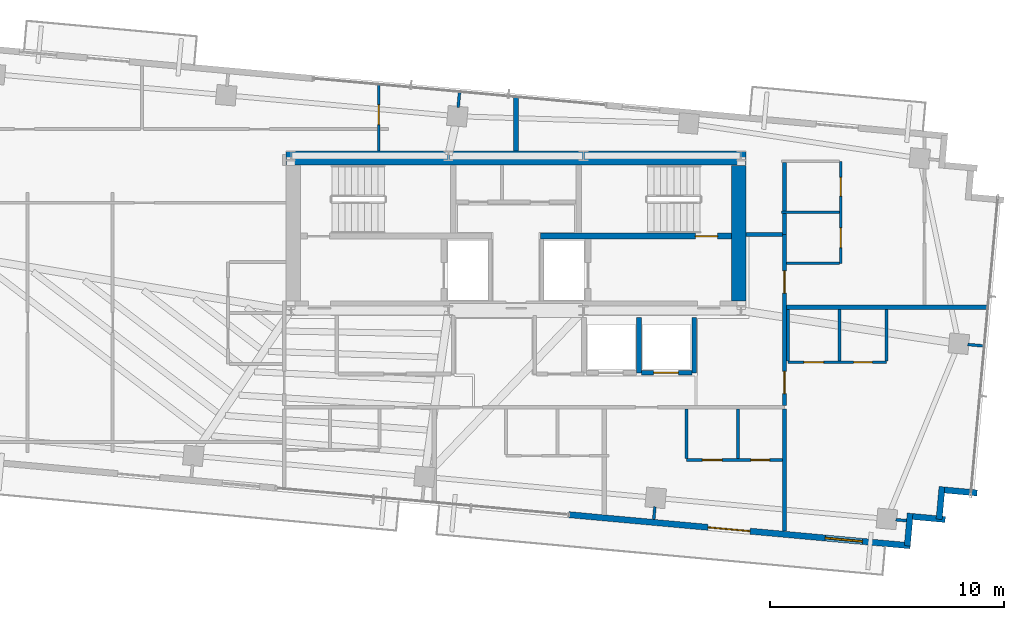
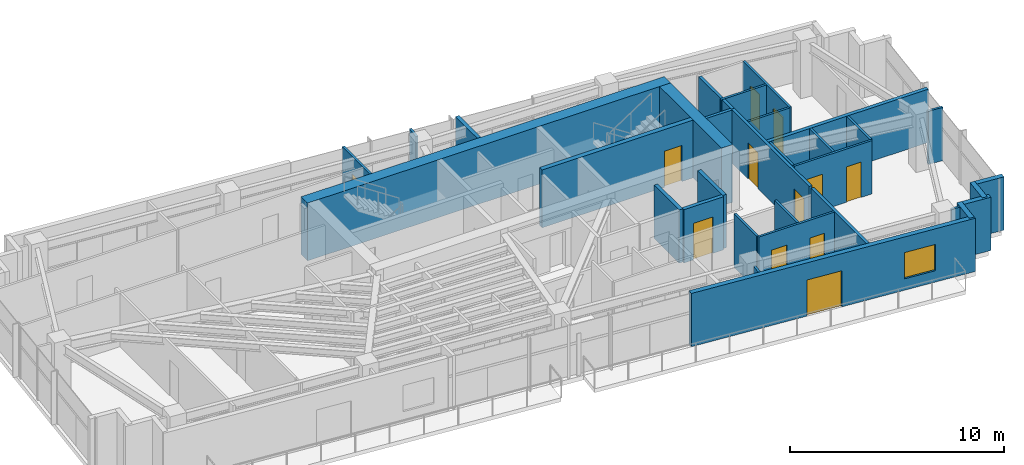
# One storey, part 18 of 22: 33 walls, 12 doors, 1 window, 13 openings.
"""IFC4 building model written with IfcOpenShell, lengths in metres."""

import ifcopenshell
import ifcopenshell.guid

model = None  # the IFC model being written
_history = None  # IfcOwnerHistory: only IFC2X3 demands one
_inside = {}  # id of a spatial element -> (the spatial element, [elements in it])
_under = {}  # id of a project, library or spatial element -> (it, [spatial elements below it])
_declared = {}  # id of a project -> (the project, [libraries it declares])
_typed = {}  # id of a type object -> (the type object, [elements of that type])
_made_of = {}  # id of a material, layer set ... -> (it, [elements and type objects made of it])


def new_model(schema):
    """Start an empty IFC model of exactly this schema.

    Asked for "IFC4X3", IfcOpenShell would pick the latest addendum, in which some entities
    have other attributes; the version numbers below select the first issue.
    IFC2X3 requires an IfcOwnerHistory on every rooted entity: one is made here for all.
    """
    global model, _history
    if schema == "IFC4X3":
        model = ifcopenshell.file(schema_version=(4, 3, 0, 0))
    else:
        model = ifcopenshell.file(schema=schema)
    _inside.clear()
    _under.clear()
    _declared.clear()
    _typed.clear()
    _made_of.clear()
    _history = None
    if model.schema == "IFC2X3":
        org = make("IfcOrganization", Name="unknown")
        user = make(
            "IfcPersonAndOrganization",
            ThePerson=make("IfcPerson", FamilyName="unknown"),
            TheOrganization=org,
        )
        app = make(
            "IfcApplication",
            ApplicationDeveloper=org,
            Version="unknown",
            ApplicationFullName="unknown",
            ApplicationIdentifier="unknown",
        )
        _history = make(
            "IfcOwnerHistory",
            OwningUser=user,
            OwningApplication=app,
            ChangeAction="ADDED",
            CreationDate=0,
        )
    return model


def make(cls, **values):
    """One entity of the class cls with the attributes given. An attribute that is None is left unset."""
    return model.create_entity(
        cls, **{name: value for name, value in values.items() if value is not None}
    )


def rooted(cls, **values):
    """An entity with a GlobalId (a new one), such as an element, a storey or a relation."""
    return make(cls, GlobalId=ifcopenshell.guid.new(), OwnerHistory=_history, **values)


def si_unit(unit_type, name, prefix=None):
    """IfcSIUnit, for example si_unit("LENGTHUNIT", "METRE", prefix="MILLI")."""
    return make("IfcSIUnit", UnitType=unit_type, Prefix=prefix, Name=name)


def assignment(units):
    """IfcUnitAssignment: the units of a project."""
    return None if units is None else make("IfcUnitAssignment", Units=units)


def point(xyz):
    """IfcCartesianPoint."""
    return None if xyz is None else make("IfcCartesianPoint", Coordinates=xyz)


def direction(xyz):
    """IfcDirection."""
    return None if xyz is None else make("IfcDirection", DirectionRatios=xyz)


def frame(location, z_axis=None, x_axis=None):
    """IfcAxis2Placement3D, a coordinate frame: its origin and axes. An axis left out is left unset."""
    return make(
        "IfcAxis2Placement3D",
        Location=point(location),
        Axis=direction(z_axis),
        RefDirection=direction(x_axis),
    )


def frame_2d(location, x_axis=None):
    """IfcAxis2Placement2D, a coordinate frame in the plane: its origin and x axis."""
    return make(
        "IfcAxis2Placement2D", Location=point(location), RefDirection=direction(x_axis)
    )


def origin():
    """The frame at (0, 0, 0) with its axes left unset."""
    return frame((0.0, 0.0, 0.0))


def place(relative_to, where):
    """IfcLocalPlacement: puts the frame where relative to a parent placement (None: the world)."""
    return make(
        "IfcLocalPlacement", PlacementRelTo=relative_to, RelativePlacement=where
    )


def context(
    kind, dimensions, precision=None, world=None, true_north=None, identifier=None
):
    """IfcGeometricRepresentationContext, for example the 3D "Model" context."""
    return make(
        "IfcGeometricRepresentationContext",
        ContextIdentifier=identifier,
        ContextType=kind,
        CoordinateSpaceDimension=dimensions,
        Precision=precision,
        WorldCoordinateSystem=world,
        TrueNorth=true_north,
    )


def subcontext(parent, identifier, kind, view, scale=None):
    """IfcGeometricRepresentationSubContext, for example "Body" below "Model"."""
    return make(
        "IfcGeometricRepresentationSubContext",
        ContextIdentifier=identifier,
        ContextType=kind,
        ParentContext=parent,
        TargetScale=scale,
        TargetView=view,
    )


def project(units=None, contexts=None):
    """IfcProject with its units and contexts."""
    return rooted(
        "IfcProject",
        Name="project",
        RepresentationContexts=contexts,
        UnitsInContext=assignment(units),
    )


def spatial(cls, under=None, at=None, **own):
    """A site, building, storey or space (cls), placed at a placement, below another one or the project."""
    s = rooted(cls, ObjectPlacement=at, **own)
    if under is not None:
        _under.setdefault(under.id(), (under, []))[1].append(s)
    return s


def profile(cls, at=None, kind="AREA", **sizes):
    """A parametric profile (cls). Its sizes go by their IFC names, for example OverallWidth=200.0."""
    return make(cls, ProfileType=kind, Position=at, **sizes)


def rectangle(**sizes):
    """IfcRectangleProfileDef."""
    return profile("IfcRectangleProfileDef", **sizes)


def extrude(swept, where, along, depth):
    """IfcExtrudedAreaSolid: the profile swept, set in the frame where, extruded along a direction by depth."""
    return make(
        "IfcExtrudedAreaSolid",
        SweptArea=swept,
        Position=where,
        ExtrudedDirection=direction(along),
        Depth=depth,
    )


def shape(context_of_items, identifier, shape_type, items):
    """IfcShapeRepresentation: the items that make up one representation, for example the "Body"."""
    return make(
        "IfcShapeRepresentation",
        ContextOfItems=context_of_items,
        RepresentationIdentifier=identifier,
        RepresentationType=shape_type,
        Items=items,
    )


def source(mapping_origin, context_of_items, identifier, shape_type, items):
    """IfcRepresentationMap: a shape defined once, which mapped items show again and again."""
    return make(
        "IfcRepresentationMap",
        MappingOrigin=mapping_origin,
        MappedRepresentation=shape(context_of_items, identifier, shape_type, items),
    )


def transform(
    local_origin,
    x_axis=None,
    y_axis=None,
    z_axis=None,
    scale=None,
    scale2=None,
    scale3=None,
    uniform=True,
):
    """IfcCartesianTransformationOperator3D, or its non-uniform kind. x_axis, y_axis, z_axis: its Axis1, 2, 3."""
    if uniform:
        return make(
            "IfcCartesianTransformationOperator3D",
            Axis1=direction(x_axis),
            Axis2=direction(y_axis),
            LocalOrigin=point(local_origin),
            Scale=scale,
            Axis3=direction(z_axis),
        )
    return make(
        "IfcCartesianTransformationOperator3DnonUniform",
        Axis1=direction(x_axis),
        Axis2=direction(y_axis),
        LocalOrigin=point(local_origin),
        Scale=scale,
        Axis3=direction(z_axis),
        Scale2=scale2,
        Scale3=scale3,
    )


def mapped(mapping_source, mapping_target):
    """IfcMappedItem: shows the shape of a source again, moved by a transform."""
    return make(
        "IfcMappedItem", MappingSource=mapping_source, MappingTarget=mapping_target
    )


def material(Name=None, Category=None):
    """IfcMaterial."""
    return make("IfcMaterial", Name=Name, Category=Category)


def layer(
    of_material, thickness, ventilated=None, Name=None, Category=None, Priority=None
):
    """IfcMaterialLayer: one layer of a wall or slab, of a material (None: an air gap)."""
    return make(
        "IfcMaterialLayer",
        Material=of_material,
        LayerThickness=thickness,
        IsVentilated=ventilated,
        Name=Name,
        Category=Category,
        Priority=Priority,
    )


def layer_set(layers, Name=None):
    """IfcMaterialLayerSet."""
    return make("IfcMaterialLayerSet", MaterialLayers=layers, LayerSetName=Name)


def made_of(thing, what):
    """Note that an element or type object is made of a material, layer set ...; save() writes the relation."""
    if what is not None:
        _made_of.setdefault(what.id(), (what, []))[1].append(thing)
    return thing


def type_object(cls, material=None, **own):
    """A type object (cls), such as IfcWallType, which elements share."""
    return made_of(rooted(cls, **own), material)


def type_shapes(of_type, sources):
    """Give a type object the sources (RepresentationMaps) that its elements show as mapped items."""
    of_type.RepresentationMaps = sources


def element(
    cls,
    number,
    at=None,
    inside=None,
    cuts=None,
    type_object=None,
    material=None,
    context=None,
    identifier="Body",
    shape_type=None,
    held_by="IfcProductDefinitionShape",
    body=None,
    shapes=None,
    **own,
):
    """One element of the class cls, such as IfcWall. Its Tag is "e" and its number.

    at: its placement. inside: the storey or other place that contains it. cuts: it is an
    opening in that element (IfcRelVoidsElement). A single representation is given by context,
    identifier, shape_type and body (its items); several are given by shapes. held_by: the class
    of the entity that holds the representations. save() writes the other relations.
    """
    e = rooted(cls, Tag="e%d" % number, ObjectPlacement=at, **own)
    if body is not None:
        shapes = [shape(context, identifier, shape_type, body)]
    if shapes is not None:
        e.Representation = make(held_by, Representations=shapes)
    if inside is not None:
        _inside.setdefault(inside.id(), (inside, []))[1].append(e)
    if cuts is not None:
        rooted(
            "IfcRelVoidsElement", RelatingBuildingElement=cuts, RelatedOpeningElement=e
        )
    if type_object is not None:
        _typed.setdefault(type_object.id(), (type_object, []))[1].append(e)
    return made_of(e, material)


def fill(opening, filler):
    """IfcRelFillsElement: the door or window that sits in an opening."""
    return rooted(
        "IfcRelFillsElement",
        RelatingOpeningElement=opening,
        RelatedBuildingElement=filler,
    )


def aggregate(whole, parts):
    """IfcRelAggregates: a whole, such as a stair, and the parts it consists of."""
    return rooted("IfcRelAggregates", RelatingObject=whole, RelatedObjects=parts)


def save(model, path):
    """Write the relations noted so far, then the file.

    IfcRelAggregates (storeys below a building ...), IfcRelContainedInSpatialStructure (elements
    in a storey), IfcRelDefinesByType, IfcRelAssociatesMaterial and IfcRelDeclares: one each for
    every whole, place, type object, material and project.
    """
    for whole, parts in _under.values():
        aggregate(whole, parts)
    for where, things in _inside.values():
        rooted(
            "IfcRelContainedInSpatialStructure",
            RelatedElements=things,
            RelatingStructure=where,
        )
    for kind, things in _typed.values():
        rooted("IfcRelDefinesByType", RelatedObjects=things, RelatingType=kind)
    for what, things in _made_of.values():
        rooted("IfcRelAssociatesMaterial", RelatedObjects=things, RelatingMaterial=what)
    for by, libraries in _declared.values():
        rooted("IfcRelDeclares", RelatingContext=by, RelatedDefinitions=libraries)
    model.write(path)


model = new_model("IFC4")

# Units and contexts
model_context = context("Model", 3, precision=1e-05, world=origin(), true_north=direction((0.0, 1.0)))
body_context = subcontext(model_context, "Body", "Model", "MODEL_VIEW")
ifc_project = project(units=[si_unit("LENGTHUNIT", "METRE"), si_unit("AREAUNIT", "SQUARE_METRE"), si_unit("VOLUMEUNIT", "CUBIC_METRE"), si_unit("PLANEANGLEUNIT", "RADIAN"), si_unit("MASSUNIT", "GRAM", prefix="KILO")], contexts=[model_context])

# Site, building, storey
site_placement = place(None, origin())
site = spatial("IfcSite", under=ifc_project, at=site_placement, CompositionType="ELEMENT")
building_placement = place(site_placement, origin())
building = spatial("IfcBuilding", under=site, at=building_placement, Name="Astriad Promenade Condominiums", CompositionType="ELEMENT")
storey_placement = place(building_placement, frame((0.0, 0.0, 236.39990234375)))
storey = spatial("IfcBuildingStorey", under=building, at=storey_placement, Name="L68", CompositionType="ELEMENT", Elevation=236.39990234375)

# Walls
ifc_material_1 = material(Name="Concrete C50/60", Category="concrete")
ifc_layer_1 = layer(ifc_material_1, 0.60009765625)
ifc_layer_set_1 = layer_set([ifc_layer_1], Name="Concrete C50/60")
wall_type_1 = type_object("IfcWallType", Name="CW-SHEAR-600", PredefinedType="SHEAR", material=ifc_layer_set_1)
wall_1_placement = place(storey_placement, frame((26.199951171875, 23.89990234375, 0.0), z_axis=(0.0, 0.0, 1.0), x_axis=(1.0, 0.0, 0.0)))
element("IfcWall", 1, at=wall_1_placement, inside=storey, type_object=wall_type_1, Name="CW-CORE-N-L68", PredefinedType="SHEAR", context=body_context, shape_type="SweptSolid", body=[
    extrude(rectangle(XDim=19.60009765625, YDim=0.60009765625, at=frame_2d((9.800048828125, 0.0))), origin(), (0.0, 0.0, 1.0), 3.300048828125),
])
wall_2_placement = place(storey_placement, frame((45.5, 17.802001953125, 0.0), z_axis=(0.0, 0.0, 1.0), x_axis=(0.0, 1.0, 0.0)))
element("IfcWall", 2, at=wall_2_placement, inside=storey, type_object=wall_type_1, Name="CW-CORE-E-L68", PredefinedType="SHEAR", context=body_context, shape_type="SweptSolid", body=[
    extrude(rectangle(XDim=5.7958984375, YDim=0.60009765625, at=frame_2d((2.89794921875, 0.0))), origin(), (0.0, 0.0, 1.0), 3.300048828125),
])

# Wall, opening, door
ifc_layer_2 = layer(ifc_material_1, 0.25)
ifc_layer_set_2 = layer_set([ifc_layer_2], Name="Concrete C50/60")
wall_type_2 = type_object("IfcWallType", Name="WALL-CORE-INT-250", PredefinedType="SOLIDWALL", material=ifc_layer_set_2)
wall_3_placement = place(storey_placement, frame((37.050048828125, 20.574951171875, 0.0), z_axis=(0.0, 0.0, 1.0), x_axis=(1.0, 0.0, 0.0)))
wall_3 = element("IfcWall", 3, at=wall_3_placement, inside=storey, type_object=wall_type_2, Name="CW-INT-H2-L68", PredefinedType="SOLIDWALL", context=body_context, shape_type="SweptSolid", body=[
    extrude(rectangle(XDim=8.14794921875, YDim=0.25, at=frame_2d((4.073974609375, 0.0))), origin(), (0.0, 0.0, 1.0), 3.300048828125),
])
opening_1_placement = place(wall_3_placement, frame((6.60009765625, 0.0, 0.0)))
opening_1 = element("IfcOpeningElement", 4, at=opening_1_placement, cuts=wall_3, Name="Opening FD90-ST-095", PredefinedType="OPENING", context=body_context, shape_type="SweptSolid", body=[
    extrude(rectangle(XDim=0.949951171875, YDim=2.06005859375, at=frame_2d((0.47509765625, 1.030029296875))), frame((0.0, 0.135009765625, 0.0), z_axis=(0.0, -1.0, 0.0), x_axis=(1.0, 0.0, 0.0)), (0.0, 0.0, 1.0), 0.27001953125),
])
ifc_material_2 = material(Name="Fire-Rated Hollow Metal Stair Door")
door_type_1 = type_object("IfcDoorType", Name="FD90-ST-095", OperationType="NOTDEFINED", PredefinedType="DOOR", material=ifc_material_2)
shared_shape_1 = source(origin(), body_context, "Body", "SweptSolid", [
    extrude(rectangle(XDim=0.949951171875, YDim=2.06005859375, at=frame_2d((0.47509765625, 1.030029296875))), frame((0.0, 0.02490234375, 0.0), z_axis=(0.0, -1.0, 0.0), x_axis=(1.0, 0.0, 0.0)), (0.0, 0.0, 1.0), 0.050048828125),
])
type_shapes(door_type_1, [shared_shape_1])
door_1_placement = place(opening_1_placement, origin())
door_1 = element("IfcDoor", 5, at=door_1_placement, inside=storey, type_object=door_type_1, Name="D-ST2-L68", OperationType="SINGLE_SWING_RIGHT", OverallHeight=2.06005859375, OverallWidth=0.949951171875, PredefinedType="DOOR", context=body_context, shape_type="MappedRepresentation", body=[
    mapped(shared_shape_1, transform((0.0, 0.0, 0.0), scale=1.0)),
])
fill(opening_1, door_1)

# Wall
ifc_material_3 = material(Name="Fire-Rated Gypsum Partition")
ifc_layer_3 = layer(ifc_material_3, 0.159912109375)
ifc_layer_set_3 = layer_set([ifc_layer_3], Name="Fire-Rated Gypsum Partition")
wall_type_3 = type_object("IfcWallType", Name="WALL-CORR-160", PredefinedType="PARTITIONING", material=ifc_layer_set_3)
wall_4_placement = place(storey_placement, frame((47.449951171875, 7.9931640625, 0.0), z_axis=(0.0, 0.0, 1.0), x_axis=(0.0, 1.0, 0.0)))
element("IfcWall", 6, at=wall_4_placement, inside=storey, type_object=wall_type_3, Name="PT-COR-E-L68", PredefinedType="PARTITIONING", context=body_context, shape_type="SweptSolid", body=[
    extrude(rectangle(XDim=5.204833984375, YDim=0.159912109375, at=frame_2d((2.6025390625, 0.0))), origin(), (0.0, 0.0, 1.0), 3.0400390625),
])

# Wall, openings, doors
wall_5_placement = place(storey_placement, frame((47.449951171875, 13.362060546875, 0.0), z_axis=(0.0, 0.0, 1.0), x_axis=(0.0, 1.0, 0.0)))
wall_5 = element("IfcWall", 7, at=wall_5_placement, inside=storey, type_object=wall_type_3, Name="PT-COR-E-L68-S2", PredefinedType="PARTITIONING", context=body_context, shape_type="SweptSolid", body=[
    extrude(rectangle(XDim=7.287841796875, YDim=0.159912109375, at=frame_2d((3.64404296875, 0.0))), origin(), (0.0, 0.0, 1.0), 3.0400390625),
])
opening_2_placement = place(wall_5_placement, frame((0.492919921875, 0.0, 0.0)))
opening_2 = element("IfcOpeningElement", 8, at=opening_2_placement, cuts=wall_5, Name="Opening FD60-APT-095", PredefinedType="OPENING", context=body_context, shape_type="SweptSolid", body=[
    extrude(rectangle(XDim=0.949951171875, YDim=2.06005859375, at=frame_2d((0.47509765625, 1.030029296875))), frame((0.0, 0.08984375, 0.0), z_axis=(0.0, -1.0, 0.0), x_axis=(1.0, 0.0, 0.0)), (0.0, 0.0, 1.0), 0.179931640625),
])
opening_3_placement = place(wall_5_placement, frame((4.782958984375, 0.0, 0.0)))
opening_3 = element("IfcOpeningElement", 9, at=opening_3_placement, cuts=wall_5, Name="Opening FD60-APT-095", PredefinedType="OPENING", context=body_context, shape_type="SweptSolid", body=[
    extrude(rectangle(XDim=0.949951171875, YDim=2.06005859375, at=frame_2d((0.47509765625, 1.030029296875))), frame((0.0, 0.08984375, 0.0), z_axis=(0.0, -1.0, 0.0), x_axis=(1.0, 0.0, 0.0)), (0.0, 0.0, 1.0), 0.179931640625),
])
ifc_material_4 = material(Name="Solid-Core Acoustic Timber Residence Entry Door", Category="wood")
door_type_2 = type_object("IfcDoorType", Name="FD60-APT-095", OperationType="NOTDEFINED", PredefinedType="DOOR", material=ifc_material_4)
shared_shape_2 = source(origin(), body_context, "Body", "SweptSolid", [
    extrude(rectangle(XDim=0.949951171875, YDim=2.06005859375, at=frame_2d((0.47509765625, 1.030029296875))), frame((0.0, 0.02490234375, 0.0), z_axis=(0.0, -1.0, 0.0), x_axis=(1.0, 0.0, 0.0)), (0.0, 0.0, 1.0), 0.050048828125),
])
type_shapes(door_type_2, [shared_shape_2])
door_2_placement = place(opening_2_placement, origin())
door_2 = element("IfcDoor", 10, at=door_2_placement, inside=storey, type_object=door_type_2, Name="D-ENT-L68-E1", OperationType="SINGLE_SWING_RIGHT", OverallHeight=2.06005859375, OverallWidth=0.949951171875, PredefinedType="DOOR", context=body_context, shape_type="MappedRepresentation", body=[
    mapped(shared_shape_2, transform((0.0, 0.0, 0.0), scale=1.0)),
])
fill(opening_2, door_2)
door_3_placement = place(opening_3_placement, origin())
door_3 = element("IfcDoor", 11, at=door_3_placement, inside=storey, type_object=door_type_2, Name="D-ENT-L68-E2", OperationType="SINGLE_SWING_LEFT", OverallHeight=2.06005859375, OverallWidth=0.949951171875, PredefinedType="DOOR", context=body_context, shape_type="MappedRepresentation", body=[
    mapped(shared_shape_2, transform((0.0, 0.0, 0.0), scale=1.0)),
])
fill(opening_3, door_3)

# Walls
wall_6_placement = place(storey_placement, frame((45.802001953125, 20.64990234375, 0.0), z_axis=(0.0, 0.0, 1.0), x_axis=(1.0, 0.0, 0.0)))
element("IfcWall", 12, at=wall_6_placement, inside=storey, type_object=wall_type_3, Name="PT-Z3E-N-L68", PredefinedType="PARTITIONING", context=body_context, shape_type="SweptSolid", body=[
    extrude(rectangle(XDim=1.56591796875, YDim=0.159912109375, at=frame_2d((0.782958984375, 0.0))), origin(), (0.0, 0.0, 1.0), 3.0400390625),
])
wall_7_placement = place(storey_placement, frame((47.449951171875, 20.64990234375, 0.0), z_axis=(0.0, 0.0, 1.0), x_axis=(0.0, 1.0, 0.0)))
element("IfcWall", 13, at=wall_7_placement, inside=storey, type_object=wall_type_3, Name="PT-L68-E2-PBK", PredefinedType="PARTITIONING", context=body_context, shape_type="SweptSolid", body=[
    extrude(rectangle(XDim=0.883056640625, YDim=0.159912109375, at=frame_2d((0.44140625, 0.0))), origin(), (0.0, 0.0, 1.0), 3.0400390625),
])
wall_8_placement = place(storey_placement, frame((47.449951171875, 21.656982421875, 0.0), z_axis=(0.0, 0.0, 1.0), x_axis=(0.0, 1.0, 0.0)))
element("IfcWall", 14, at=wall_8_placement, inside=storey, type_object=wall_type_3, Name="PT-L68-E2-PBK-S2", PredefinedType="PARTITIONING", context=body_context, shape_type="SweptSolid", body=[
    extrude(rectangle(XDim=2.051025390625, YDim=0.159912109375, at=frame_2d((1.025390625, 0.0))), origin(), (0.0, 0.0, 1.0), 3.0400390625),
])
ifc_material_5 = material(Name="Acoustic Double-Stud Gypsum Partition")
ifc_layer_4 = layer(ifc_material_5, 0.199951171875)
ifc_layer_set_4 = layer_set([ifc_layer_4], Name="Acoustic Double-Stud Gypsum Partition")
wall_type_4 = type_object("IfcWallType", Name="WALL-DEMISING-200", PredefinedType="PARTITIONING", material=ifc_layer_set_4)
wall_9_placement = place(storey_placement, frame((36.0, 24.201904296875, 0.0), z_axis=(0.0, 0.0, 1.0), x_axis=(0.0, 1.0, 0.0)))
element("IfcWall", 15, at=wall_9_placement, inside=storey, type_object=wall_type_4, Name="PT-NC-MID-L68", PredefinedType="PARTITIONING", context=body_context, shape_type="SweptSolid", body=[
    extrude(rectangle(XDim=2.36328125, YDim=0.199951171875, at=frame_2d((1.181640625, 0.0))), origin(), (0.0, 0.0, 1.0), 3.0400390625),
])
wall_10_placement = place(storey_placement, frame((47.531982421875, 17.550048828125, 0.0), z_axis=(0.0, 0.0, 1.0), x_axis=(1.0, 0.0, 0.0)))
element("IfcWall", 16, at=wall_10_placement, inside=storey, type_object=wall_type_4, Name="PT-DEM-EE-L68", PredefinedType="PARTITIONING", context=body_context, shape_type="SweptSolid", body=[
    extrude(rectangle(XDim=8.643310546875, YDim=0.199951171875, at=frame_2d((4.32177734375, 0.0))), origin(), (0.0, 0.0, 1.0), 3.0400390625),
])
ifc_material_6 = material(Name="Precast concrete C50/60", Category="concrete")
ifc_layer_5 = layer(ifc_material_6, 0.260009765625)
ifc_layer_set_5 = layer_set([ifc_layer_5], Name="Precast concrete C50/60")
wall_type_5 = type_object("IfcWallType", Name="WALL-EXT-TWR-260", PredefinedType="STANDARD", material=ifc_layer_set_5)
for number, where, z_axis, x_axis, name in (
    (17, (55.664794921875, 9.623291015625, 0.0), (0.0, 0.0, 1.0), (-0.995881721538, 0.090661991521, 0.0), "W-SER-L68-14"),
    (18, (54.1728515625, 9.889404296875, 0.0), (0.0, 0.0, 1.0), (-0.090661991521, -0.995881721538, 0.0), "W-SER-L68-15"),
):
    element("IfcWall", number, at=place(storey_placement, frame(where, z_axis=z_axis, x_axis=x_axis)), inside=storey, type_object=wall_type_5, Name=name, PredefinedType="STANDARD", context=body_context, shape_type="SweptSolid", body=[
        extrude(rectangle(XDim=1.39501953125, YDim=0.260009765625, at=frame_2d((0.697509765625, 0.0))), origin(), (0.0, 0.0, 1.0), 3.0400390625),
    ])
for number, where, z_axis, x_axis, name in (
    (19, (54.306884765625, 8.49169921875, 0.0), (0.0, 0.0, 1.0), (-0.995883159782, 0.090646191665, 0.0), "W-SER-L68-16"),
    (20, (52.814697265625, 8.758056640625, 0.0), (0.0, 0.0, 1.0), (-0.090646191665, -0.995883159782, 0.0), "W-SER-L68-17"),
):
    element("IfcWall", number, at=place(storey_placement, frame(where, z_axis=z_axis, x_axis=x_axis)), inside=storey, type_object=wall_type_5, Name=name, PredefinedType="STANDARD", context=body_context, shape_type="SweptSolid", body=[
        extrude(rectangle(XDim=1.395263671875, YDim=0.260009765625, at=frame_2d((0.69775390625, 0.0))), origin(), (0.0, 0.0, 1.0), 3.0400390625),
    ])

# Wall, openings, door, window
wall_11_placement = place(storey_placement, frame((52.819091796875, 7.371826171875, 0.0), z_axis=(0.0, 0.0, 1.0), x_axis=(-0.995884447498, 0.090632043071, 0.0)))
wall_11 = element("IfcWall", 21, at=wall_11_placement, inside=storey, type_object=wall_type_5, Name="W-EXT-L68-S1", PredefinedType="STANDARD", context=body_context, shape_type="SweptSolid", body=[
    extrude(rectangle(XDim=14.6298828125, YDim=0.260009765625, at=frame_2d((7.31494140625, 0.0))), origin(), (0.0, 0.0, 1.0), 3.0400390625),
])
opening_4_placement = place(wall_11_placement, frame((6.864990234375, 0.0, 0.0)))
opening_4 = element("IfcOpeningElement", 22, at=opening_4_placement, cuts=wall_11, Name="Opening BD-1822-SLD", PredefinedType="OPENING", context=body_context, shape_type="SweptSolid", body=[
    extrude(rectangle(XDim=1.800048828125, YDim=2.06005859375, at=frame_2d((0.89990234375, 1.030029296875))), frame((0.0, 0.139892578125, 0.0), z_axis=(0.0, -1.0, 0.0), x_axis=(1.0, 0.0, 0.0)), (0.0, 0.0, 1.0), 0.280029296875),
])
opening_5_placement = place(wall_11_placement, frame((2.050048828125, 0.0, 0.64990234375)))
opening_5 = element("IfcOpeningElement", 23, at=opening_5_placement, cuts=wall_11, Name="Opening WIN-TWR-1620", PredefinedType="OPENING", context=body_context, shape_type="SweptSolid", body=[
    extrude(rectangle(XDim=1.60009765625, YDim=1.5, at=frame_2d((0.800048828125, 0.75))), frame((0.0, 0.139892578125, 0.0), z_axis=(0.0, -1.0, 0.0), x_axis=(1.0, 0.0, 0.0)), (0.0, 0.0, 1.0), 0.280029296875),
])
ifc_material_7 = material(Name="Thermally Broken Aluminium Sliding Balcony Door", Category="aluminium")
door_type_3 = type_object("IfcDoorType", Name="BD-1822-SLD", OperationType="NOTDEFINED", PredefinedType="DOOR", material=ifc_material_7)
shared_shape_3 = source(origin(), body_context, "Body", "SweptSolid", [
    extrude(rectangle(XDim=1.800048828125, YDim=2.06005859375, at=frame_2d((0.89990234375, 1.030029296875))), frame((0.0, 0.02490234375, 0.0), z_axis=(0.0, -1.0, 0.0), x_axis=(1.0, 0.0, 0.0)), (0.0, 0.0, 1.0), 0.050048828125),
])
type_shapes(door_type_3, [shared_shape_3])
door_4_placement = place(opening_4_placement, origin())
door_4 = element("IfcDoor", 24, at=door_4_placement, inside=storey, type_object=door_type_3, Name="BD-L68-SE", OperationType="SLIDING_TO_RIGHT", OverallHeight=2.06005859375, OverallWidth=1.800048828125, PredefinedType="DOOR", context=body_context, shape_type="MappedRepresentation", body=[
    mapped(shared_shape_3, transform((0.0, 0.0, 0.0), scale=1.0)),
])
fill(opening_4, door_4)
ifc_material_8 = material(Name="Dark Tinted Triple-Glazed Aluminium Window", Category="aluminium")
window_type = type_object("IfcWindowType", Name="WIN-TWR-1620", PartitioningType="SINGLE_PANEL", PredefinedType="WINDOW", material=ifc_material_8)
shared_shape_4 = source(origin(), body_context, "Body", "SweptSolid", [
    extrude(rectangle(XDim=1.60009765625, YDim=1.5, at=frame_2d((0.800048828125, 0.75))), frame((0.0, 0.030029296875, 0.0), z_axis=(0.0, -1.0, 0.0), x_axis=(1.0, 0.0, 0.0)), (0.0, 0.0, 1.0), 0.06005859375),
])
type_shapes(window_type, [shared_shape_4])
window_placement = place(opening_5_placement, origin())
window = element("IfcWindow", 25, at=window_placement, inside=storey, type_object=window_type, Name="WIN-L68-SE", OverallHeight=1.5, OverallWidth=1.60009765625, PartitioningType="SINGLE_PANEL", PredefinedType="WINDOW", context=body_context, shape_type="MappedRepresentation", body=[
    mapped(shared_shape_4, transform((0.0, 0.0, 0.0), scale=1.0)),
])
fill(opening_5, window)

# Wall, openings, doors
ifc_material_9 = material(Name="Acoustic Metal-Stud Gypsum Partition")
ifc_layer_6 = layer(ifc_material_9, 0.1201171875)
ifc_layer_set_6 = layer_set([ifc_layer_6], Name="Acoustic Metal-Stud Gypsum Partition")
wall_type_6 = type_object("IfcWallType", Name="WALL-PART-120", PredefinedType="PARTITIONING", material=ifc_layer_set_6)
wall_12_placement = place(storey_placement, frame((43.27001953125, 11.030029296875, 0.0), z_axis=(0.0, 0.0, 1.0), x_axis=(1.0, 0.0, 0.0)))
wall_12 = element("IfcWall", 26, at=wall_12_placement, inside=storey, type_object=wall_type_6, Name="PT-L68-S3-PS", PredefinedType="PARTITIONING", context=body_context, shape_type="SweptSolid", body=[
    extrude(rectangle(XDim=4.097900390625, YDim=0.1201171875, at=frame_2d((2.048828125, 0.0))), origin(), (0.0, 0.0, 1.0), 3.0400390625),
])
opening_6_placement = place(wall_12_placement, frame((0.675048828125, 0.0, 0.0)))
opening_6 = element("IfcOpeningElement", 27, at=opening_6_placement, cuts=wall_12, Name="Opening D-INT-085", PredefinedType="OPENING", context=body_context, shape_type="SweptSolid", body=[
    extrude(rectangle(XDim=0.85009765625, YDim=2.050048828125, at=frame_2d((0.425048828125, 1.02490234375))), frame((0.0, 0.070068359375, 0.0), z_axis=(0.0, -1.0, 0.0), x_axis=(1.0, 0.0, 0.0)), (0.0, 0.0, 1.0), 0.14013671875),
])
opening_7_placement = place(wall_12_placement, frame((2.75, 0.0, 0.0)))
opening_7 = element("IfcOpeningElement", 28, at=opening_7_placement, cuts=wall_12, Name="Opening D-WET-080", PredefinedType="OPENING", context=body_context, shape_type="SweptSolid", body=[
    extrude(rectangle(XDim=0.800048828125, YDim=2.02001953125, at=frame_2d((0.39990234375, 1.010009765625))), frame((0.0, 0.070068359375, 0.0), z_axis=(0.0, -1.0, 0.0), x_axis=(1.0, 0.0, 0.0)), (0.0, 0.0, 1.0), 0.14013671875),
])
ifc_material_10 = material(Name="Moisture-Resistant Timber Bathroom Door", Category="wood")
door_type_4 = type_object("IfcDoorType", Name="D-WET-080", OperationType="NOTDEFINED", PredefinedType="DOOR", material=ifc_material_10)
shared_shape_5 = source(origin(), body_context, "Body", "SweptSolid", [
    extrude(rectangle(XDim=0.800048828125, YDim=2.02001953125, at=frame_2d((0.39990234375, 1.010009765625))), frame((0.0, 0.02490234375, 0.0), z_axis=(0.0, -1.0, 0.0), x_axis=(1.0, 0.0, 0.0)), (0.0, 0.0, 1.0), 0.050048828125),
])
type_shapes(door_type_4, [shared_shape_5])
door_5_placement = place(opening_7_placement, origin())
door_5 = element("IfcDoor", 29, at=door_5_placement, inside=storey, type_object=door_type_4, Name="D-BTH-L68-S3", OperationType="SINGLE_SWING_LEFT", OverallHeight=2.02001953125, OverallWidth=0.800048828125, PredefinedType="DOOR", context=body_context, shape_type="MappedRepresentation", body=[
    mapped(shared_shape_5, transform((0.0, 0.0, 0.0), scale=1.0)),
])
fill(opening_7, door_5)
ifc_material_11 = material(Name="Painted Solid-Core Timber Room Door", Category="wood")
door_type_5 = type_object("IfcDoorType", Name="D-INT-085", OperationType="NOTDEFINED", PredefinedType="DOOR", material=ifc_material_11)
shared_shape_6 = source(origin(), body_context, "Body", "SweptSolid", [
    extrude(rectangle(XDim=0.85009765625, YDim=2.050048828125, at=frame_2d((0.425048828125, 1.02490234375))), frame((0.0, 0.02490234375, 0.0), z_axis=(0.0, -1.0, 0.0), x_axis=(1.0, 0.0, 0.0)), (0.0, 0.0, 1.0), 0.050048828125),
])
type_shapes(door_type_5, [shared_shape_6])
door_6_placement = place(opening_6_placement, origin())
door_6 = element("IfcDoor", 30, at=door_6_placement, inside=storey, type_object=door_type_5, Name="D-KIT-L68-S3", OperationType="SINGLE_SWING_RIGHT", OverallHeight=2.050048828125, OverallWidth=0.85009765625, PredefinedType="DOOR", context=body_context, shape_type="MappedRepresentation", body=[
    mapped(shared_shape_6, transform((0.0, 0.0, 0.0), scale=1.0)),
])
fill(opening_6, door_6)

# Walls
for number, where, z_axis, x_axis, name in (
    (31, (43.27001953125, 11.092041015625, 0.0), (0.0, 0.0, 1.0), (0.0, 1.0, 0.0), "PT-L68-S3-PK"),
    (32, (45.469970703125, 11.092041015625, 0.0), (0.0, 0.0, 1.0), (0.0, 1.0, 0.0), "PT-L68-S3-PB"),
):
    element("IfcWall", number, at=place(storey_placement, frame(where, z_axis=z_axis, x_axis=x_axis)), inside=storey, type_object=wall_type_6, Name=name, PredefinedType="PARTITIONING", context=body_context, shape_type="SweptSolid", body=[
        extrude(rectangle(XDim=2.10595703125, YDim=0.1201171875, at=frame_2d((1.052978515625, 0.0))), origin(), (0.0, 0.0, 1.0), 3.0400390625),
    ])

# Wall, opening, door
wall_13_placement = place(storey_placement, frame((30.14990234375, 24.201904296875, 0.0), z_axis=(0.0, 0.0, 1.0), x_axis=(0.0, 1.0, 0.0)))
wall_13 = element("IfcWall", 33, at=wall_13_placement, inside=storey, type_object=wall_type_6, Name="PT-L68-W1-NC", PredefinedType="PARTITIONING", context=body_context, shape_type="SweptSolid", body=[
    extrude(rectangle(XDim=2.895751953125, YDim=0.1201171875, at=frame_2d((1.44775390625, 0.0))), origin(), (0.0, 0.0, 1.0), 3.0400390625),
])
opening_8_placement = place(wall_13_placement, frame((1.1279296875, 0.0, 0.0)))
opening_8 = element("IfcOpeningElement", 34, at=opening_8_placement, cuts=wall_13, Name="Opening D-INT-085", PredefinedType="OPENING", context=body_context, shape_type="SweptSolid", body=[
    extrude(rectangle(XDim=0.85009765625, YDim=2.050048828125, at=frame_2d((0.425048828125, 1.02490234375))), frame((0.0, 0.070068359375, 0.0), z_axis=(0.0, -1.0, 0.0), x_axis=(1.0, 0.0, 0.0)), (0.0, 0.0, 1.0), 0.14013671875),
])
door_7_placement = place(opening_8_placement, origin())
door_7 = element("IfcDoor", 35, at=door_7_placement, inside=storey, type_object=door_type_5, Name="D-NC-L68-W1", OperationType="SINGLE_SWING_LEFT", OverallHeight=2.050048828125, OverallWidth=0.85009765625, PredefinedType="DOOR", context=body_context, shape_type="MappedRepresentation", body=[
    mapped(shared_shape_6, transform((0.0, 0.0, 0.0), scale=1.0)),
])
fill(opening_8, door_7)

# Wall, openings, doors
wall_14_placement = place(storey_placement, frame((47.60009765625, 15.199951171875, 0.0), z_axis=(0.0, 0.0, 1.0), x_axis=(1.0, 0.0, 0.0)))
wall_14 = element("IfcWall", 36, at=wall_14_placement, inside=storey, type_object=wall_type_6, Name="PT-L68-E1-PH", PredefinedType="PARTITIONING", context=body_context, shape_type="SweptSolid", body=[
    extrude(rectangle(XDim=4.199951171875, YDim=0.1201171875, at=frame_2d((2.10009765625, 0.0))), origin(), (0.0, 0.0, 1.0), 3.0400390625),
])
opening_9_placement = place(wall_14_placement, frame((0.675048828125, 0.0, 0.0)))
opening_9 = element("IfcOpeningElement", 37, at=opening_9_placement, cuts=wall_14, Name="Opening D-INT-085", PredefinedType="OPENING", context=body_context, shape_type="SweptSolid", body=[
    extrude(rectangle(XDim=0.85009765625, YDim=2.050048828125, at=frame_2d((0.425048828125, 1.02490234375))), frame((0.0, 0.070068359375, 0.0), z_axis=(0.0, -1.0, 0.0), x_axis=(1.0, 0.0, 0.0)), (0.0, 0.0, 1.0), 0.14013671875),
])
opening_10_placement = place(wall_14_placement, frame((2.800048828125, 0.0, 0.0)))
opening_10 = element("IfcOpeningElement", 38, at=opening_10_placement, cuts=wall_14, Name="Opening D-WET-080", PredefinedType="OPENING", context=body_context, shape_type="SweptSolid", body=[
    extrude(rectangle(XDim=0.800048828125, YDim=2.02001953125, at=frame_2d((0.39990234375, 1.010009765625))), frame((0.0, 0.070068359375, 0.0), z_axis=(0.0, -1.0, 0.0), x_axis=(1.0, 0.0, 0.0)), (0.0, 0.0, 1.0), 0.14013671875),
])
door_8_placement = place(opening_10_placement, origin())
door_8 = element("IfcDoor", 39, at=door_8_placement, inside=storey, type_object=door_type_4, Name="D-BTH-L68-E1", OperationType="SINGLE_SWING_RIGHT", OverallHeight=2.02001953125, OverallWidth=0.800048828125, PredefinedType="DOOR", context=body_context, shape_type="MappedRepresentation", body=[
    mapped(shared_shape_5, transform((0.0, 0.0, 0.0), scale=1.0)),
])
fill(opening_10, door_8)
door_9_placement = place(opening_9_placement, origin())
door_9 = element("IfcDoor", 40, at=door_9_placement, inside=storey, type_object=door_type_5, Name="D-KIT-L68-E1", OperationType="SINGLE_SWING_LEFT", OverallHeight=2.050048828125, OverallWidth=0.85009765625, PredefinedType="DOOR", context=body_context, shape_type="MappedRepresentation", body=[
    mapped(shared_shape_6, transform((0.0, 0.0, 0.0), scale=1.0)),
])
fill(opening_9, door_9)

# Walls
for number, where, z_axis, x_axis, name in (
    (41, (47.60009765625, 15.261962890625, 0.0), (0.0, 0.0, 1.0), (0.0, 1.0, 0.0), "PT-L68-E1-PK1"),
    (42, (49.800048828125, 15.261962890625, 0.0), (0.0, 0.0, 1.0), (0.0, 1.0, 0.0), "PT-L68-E1-PK2"),
    (43, (51.800048828125, 15.261962890625, 0.0), (0.0, 0.0, 1.0), (0.0, 1.0, 0.0), "PT-L68-E1-PK3"),
):
    element("IfcWall", number, at=place(storey_placement, frame(where, z_axis=z_axis, x_axis=x_axis)), inside=storey, type_object=wall_type_6, Name=name, PredefinedType="PARTITIONING", context=body_context, shape_type="SweptSolid", body=[
        extrude(rectangle(XDim=2.18603515625, YDim=0.1201171875, at=frame_2d((1.093017578125, 0.0))), origin(), (0.0, 0.0, 1.0), 3.0400390625),
    ])

# Wall, openings, doors
wall_15_placement = place(storey_placement, frame((49.85009765625, 19.419921875, 0.0), z_axis=(0.0, 0.0, 1.0), x_axis=(0.0, 1.0, 0.0)))
wall_15 = element("IfcWall", 44, at=wall_15_placement, inside=storey, type_object=wall_type_6, Name="PT-L68-E2-PV", PredefinedType="PARTITIONING", context=body_context, shape_type="SweptSolid", body=[
    extrude(rectangle(XDim=4.35009765625, YDim=0.1201171875, at=frame_2d((2.175048828125, 0.0))), origin(), (0.0, 0.0, 1.0), 3.0400390625),
])
opening_11_placement = place(wall_15_placement, frame((0.6630859375, 0.0, 0.0)))
opening_11 = element("IfcOpeningElement", 45, at=opening_11_placement, cuts=wall_15, Name="Opening D-INT-085", PredefinedType="OPENING", context=body_context, shape_type="SweptSolid", body=[
    extrude(rectangle(XDim=0.85009765625, YDim=2.050048828125, at=frame_2d((0.425048828125, 1.02490234375))), frame((0.0, 0.070068359375, 0.0), z_axis=(0.0, -1.0, 0.0), x_axis=(1.0, 0.0, 0.0)), (0.0, 0.0, 1.0), 0.14013671875),
])
opening_12_placement = place(wall_15_placement, frame((2.862060546875, 0.0, 0.0)))
opening_12 = element("IfcOpeningElement", 46, at=opening_12_placement, cuts=wall_15, Name="Opening D-WET-080", PredefinedType="OPENING", context=body_context, shape_type="SweptSolid", body=[
    extrude(rectangle(XDim=0.800048828125, YDim=2.02001953125, at=frame_2d((0.39990234375, 1.010009765625))), frame((0.0, 0.070068359375, 0.0), z_axis=(0.0, -1.0, 0.0), x_axis=(1.0, 0.0, 0.0)), (0.0, 0.0, 1.0), 0.14013671875),
])
door_10_placement = place(opening_12_placement, origin())
door_10 = element("IfcDoor", 47, at=door_10_placement, inside=storey, type_object=door_type_4, Name="D-BTH-L68-E2", OperationType="SINGLE_SWING_LEFT", OverallHeight=2.02001953125, OverallWidth=0.800048828125, PredefinedType="DOOR", context=body_context, shape_type="MappedRepresentation", body=[
    mapped(shared_shape_5, transform((0.0, 0.0, 0.0), scale=1.0)),
])
fill(opening_12, door_10)
door_11_placement = place(opening_11_placement, origin())
door_11 = element("IfcDoor", 48, at=door_11_placement, inside=storey, type_object=door_type_5, Name="D-KIT-L68-E2", OperationType="SINGLE_SWING_RIGHT", OverallHeight=2.050048828125, OverallWidth=0.85009765625, PredefinedType="DOOR", context=body_context, shape_type="MappedRepresentation", body=[
    mapped(shared_shape_6, transform((0.0, 0.0, 0.0), scale=1.0)),
])
fill(opening_11, door_11)

# Walls
wall_16_placement = place(storey_placement, frame((47.330078125, 21.594970703125, 0.0), z_axis=(0.0, 0.0, 1.0), x_axis=(1.0, 0.0, 0.0)))
element("IfcWall", 49, at=wall_16_placement, inside=storey, type_object=wall_type_6, Name="PT-L68-E2-PM", PredefinedType="PARTITIONING", context=body_context, shape_type="SweptSolid", body=[
    extrude(rectangle(XDim=2.4580078125, YDim=0.1201171875, at=frame_2d((1.22900390625, 0.0))), origin(), (0.0, 0.0, 1.0), 3.0400390625),
])
wall_17_placement = place(storey_placement, frame((47.531982421875, 19.419921875, 0.0), z_axis=(0.0, 0.0, 1.0), x_axis=(1.0, 0.0, 0.0)))
element("IfcWall", 50, at=wall_17_placement, inside=storey, type_object=wall_type_6, Name="PT-L68-E2-PS", PredefinedType="PARTITIONING", context=body_context, shape_type="SweptSolid", body=[
    extrude(rectangle(XDim=2.256103515625, YDim=0.1201171875, at=frame_2d((1.1279296875, 0.0))), origin(), (0.0, 0.0, 1.0), 3.0400390625),
])
wall_18_placement = place(storey_placement, frame((41.92529296875, 9.0361328125, 0.0), z_axis=(0.0, 0.0, 1.0), x_axis=(-0.090740281653, -0.995874591144, 0.0)))
element("IfcWall", 51, at=wall_18_placement, inside=storey, type_object=wall_type_6, Name="PT-PIL-L68-PC04-11", PredefinedType="PARTITIONING", context=body_context, shape_type="SweptSolid", body=[
    extrude(rectangle(XDim=0.5380859375, YDim=0.1201171875, at=frame_2d((0.26904296875, 0.0))), origin(), (0.0, 0.0, 1.0), 3.0400390625),
])
wall_19_placement = place(storey_placement, frame((52.197265625, 8.48291015625, 0.0), z_axis=(0.0, 0.0, 1.0), x_axis=(0.995884462012, -0.090631883588, 0.0)))
element("IfcWall", 52, at=wall_19_placement, inside=storey, type_object=wall_type_6, Name="PT-PIL-L68-PC05-12", PredefinedType="PARTITIONING", context=body_context, shape_type="SweptSolid", body=[
    extrude(rectangle(XDim=0.4580078125, YDim=0.1201171875, at=frame_2d((0.22900390625, 0.0))), origin(), (0.0, 0.0, 1.0), 3.0400390625),
])
wall_20_placement = place(storey_placement, frame((33.5341796875, 26.066650390625, 0.0), z_axis=(0.0, 0.0, 1.0), x_axis=(0.090535746043, 0.995893206468, 0.0)))
element("IfcWall", 53, at=wall_20_placement, inside=storey, type_object=wall_type_6, Name="PT-PIL-L68-PC08-15", PredefinedType="PARTITIONING", context=body_context, shape_type="SweptSolid", body=[
    extrude(rectangle(XDim=0.719970703125, YDim=0.1201171875, at=frame_2d((0.35986328125, 0.0))), origin(), (0.0, 0.0, 1.0), 3.0400390625),
])
wall_21_placement = place(storey_placement, frame((55.26708984375, 15.955322265625, 0.0), z_axis=(0.0, 0.0, 1.0), x_axis=(0.995887938321, -0.09059367697, 0.0)))
element("IfcWall", 54, at=wall_21_placement, inside=storey, type_object=wall_type_6, Name="PT-PIL-L68-PC12-19", PredefinedType="PARTITIONING", context=body_context, shape_type="SweptSolid", body=[
    extrude(rectangle(XDim=0.760009765625, YDim=0.1201171875, at=frame_2d((0.3798828125, 0.0))), origin(), (0.0, 0.0, 1.0), 3.0400390625),
])
ifc_material_12 = material(Name="Gypsum Shaftliner Assembly")
ifc_layer_7 = layer(ifc_material_12, 0.199951171875)
ifc_layer_set_7 = layer_set([ifc_layer_7], Name="Gypsum Shaftliner Assembly")
wall_type_7 = type_object("IfcWallType", Name="WALL-SHAFT-200", PredefinedType="PARTITIONING", material=ifc_layer_set_7)
for number, where, z_axis, x_axis, name in (
    (55, (41.25, 14.75, 0.0), (0.0, 0.0, 1.0), (0.0, 1.0, 0.0), "PL-H-DIV-L68"),
    (56, (43.60009765625, 14.75, 0.0), (0.0, 0.0, 1.0), (0.0, 1.0, 0.0), "PL-E-OUT-L68"),
):
    element("IfcWall", number, at=place(storey_placement, frame(where, z_axis=z_axis, x_axis=x_axis)), inside=storey, type_object=wall_type_7, Name=name, PredefinedType="PARTITIONING", context=body_context, shape_type="SweptSolid", body=[
        extrude(rectangle(XDim=2.35009765625, YDim=0.199951171875, at=frame_2d((1.175048828125, 0.0))), origin(), (0.0, 0.0, 1.0), 3.0400390625),
    ])

# Wall, opening, door
wall_22_placement = place(storey_placement, frame((41.35205078125, 14.75, 0.0), z_axis=(0.0, 0.0, 1.0), x_axis=(1.0, 0.0, 0.0)))
wall_22 = element("IfcWall", 57, at=wall_22_placement, inside=storey, type_object=wall_type_7, Name="PL-H-FRT-L68-S2", PredefinedType="PARTITIONING", context=body_context, shape_type="SweptSolid", body=[
    extrude(rectangle(XDim=2.14599609375, YDim=0.199951171875, at=frame_2d((1.072998046875, 0.0))), origin(), (0.0, 0.0, 1.0), 3.0400390625),
])
opening_13_placement = place(wall_22_placement, frame((0.52294921875, 0.0, 0.0)))
opening_13 = element("IfcOpeningElement", 58, at=opening_13_placement, cuts=wall_22, Name="Opening LD-PL-10522", PredefinedType="OPENING", context=body_context, shape_type="SweptSolid", body=[
    extrude(rectangle(XDim=1.050048828125, YDim=2.080078125, at=frame_2d((0.52490234375, 1.0400390625))), frame((0.0, 0.10986328125, 0.0), z_axis=(0.0, -1.0, 0.0), x_axis=(1.0, 0.0, 0.0)), (0.0, 0.0, 1.0), 0.219970703125),
])
ifc_material_13 = material(Name="Brushed Bronze Passenger Elevator Landing Door")
door_type_6 = type_object("IfcDoorType", Name="LD-PL-10522", OperationType="NOTDEFINED", PredefinedType="DOOR", material=ifc_material_13)
shared_shape_7 = source(origin(), body_context, "Body", "SweptSolid", [
    extrude(rectangle(XDim=1.050048828125, YDim=2.080078125, at=frame_2d((0.52490234375, 1.0400390625))), frame((0.0, 0.02490234375, 0.0), z_axis=(0.0, -1.0, 0.0), x_axis=(1.0, 0.0, 0.0)), (0.0, 0.0, 1.0), 0.050048828125),
])
type_shapes(door_type_6, [shared_shape_7])
door_12_placement = place(opening_13_placement, origin())
door_12 = element("IfcDoor", 59, at=door_12_placement, inside=storey, type_object=door_type_6, Name="Elevator Landing Door PL-H2 (L68)", OperationType="SLIDING_TO_RIGHT", OverallHeight=2.080078125, OverallWidth=1.050048828125, PredefinedType="DOOR", context=body_context, shape_type="MappedRepresentation", body=[
    mapped(shared_shape_7, transform((0.0, 0.0, 0.0), scale=1.0)),
])
fill(opening_13, door_12)

save(model, "model.ifc")
